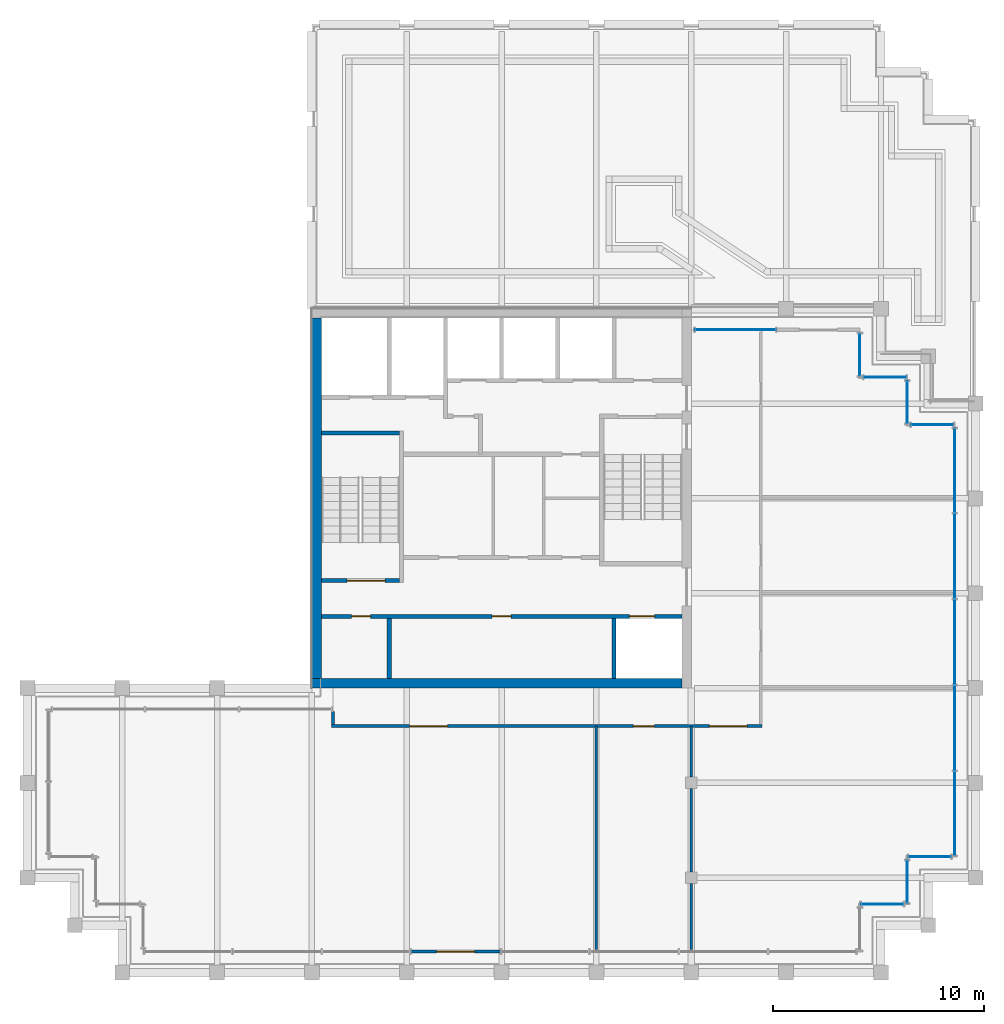
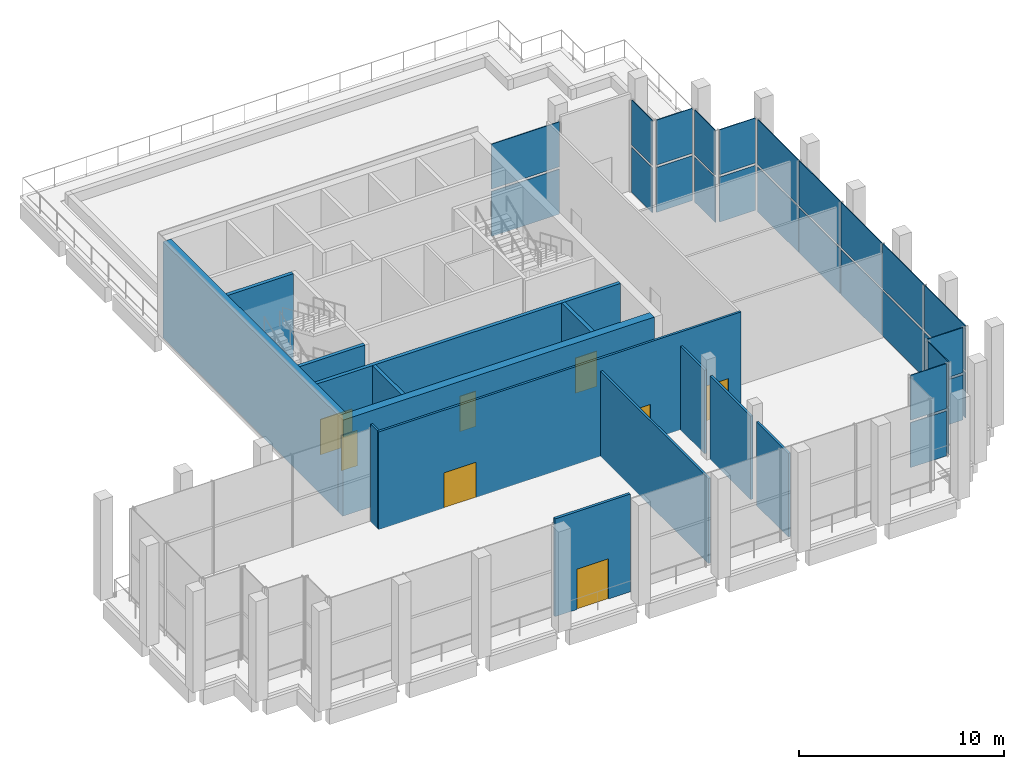
# One storey, part 11 of 15: 26 plates, 14 walls, 8 doors, 8 openings, 9 elements without a shape of their own.
"""IFC4 building model written with IfcOpenShell, lengths in metres."""

import ifcopenshell
import ifcopenshell.guid

model = None  # the IFC model being written
_history = None  # IfcOwnerHistory: only IFC2X3 demands one
_inside = {}  # id of a spatial element -> (the spatial element, [elements in it])
_under = {}  # id of a project, library or spatial element -> (it, [spatial elements below it])
_declared = {}  # id of a project -> (the project, [libraries it declares])
_typed = {}  # id of a type object -> (the type object, [elements of that type])
_made_of = {}  # id of a material, layer set ... -> (it, [elements and type objects made of it])


def new_model(schema):
    """Start an empty IFC model of exactly this schema.

    Asked for "IFC4X3", IfcOpenShell would pick the latest addendum, in which some entities
    have other attributes; the version numbers below select the first issue.
    IFC2X3 requires an IfcOwnerHistory on every rooted entity: one is made here for all.
    """
    global model, _history
    if schema == "IFC4X3":
        model = ifcopenshell.file(schema_version=(4, 3, 0, 0))
    else:
        model = ifcopenshell.file(schema=schema)
    _inside.clear()
    _under.clear()
    _declared.clear()
    _typed.clear()
    _made_of.clear()
    _history = None
    if model.schema == "IFC2X3":
        org = make("IfcOrganization", Name="unknown")
        user = make(
            "IfcPersonAndOrganization",
            ThePerson=make("IfcPerson", FamilyName="unknown"),
            TheOrganization=org,
        )
        app = make(
            "IfcApplication",
            ApplicationDeveloper=org,
            Version="unknown",
            ApplicationFullName="unknown",
            ApplicationIdentifier="unknown",
        )
        _history = make(
            "IfcOwnerHistory",
            OwningUser=user,
            OwningApplication=app,
            ChangeAction="ADDED",
            CreationDate=0,
        )
    return model


def make(cls, **values):
    """One entity of the class cls with the attributes given. An attribute that is None is left unset."""
    return model.create_entity(
        cls, **{name: value for name, value in values.items() if value is not None}
    )


def rooted(cls, **values):
    """An entity with a GlobalId (a new one), such as an element, a storey or a relation."""
    return make(cls, GlobalId=ifcopenshell.guid.new(), OwnerHistory=_history, **values)


def si_unit(unit_type, name, prefix=None):
    """IfcSIUnit, for example si_unit("LENGTHUNIT", "METRE", prefix="MILLI")."""
    return make("IfcSIUnit", UnitType=unit_type, Prefix=prefix, Name=name)


def assignment(units):
    """IfcUnitAssignment: the units of a project."""
    return None if units is None else make("IfcUnitAssignment", Units=units)


def point(xyz):
    """IfcCartesianPoint."""
    return None if xyz is None else make("IfcCartesianPoint", Coordinates=xyz)


def direction(xyz):
    """IfcDirection."""
    return None if xyz is None else make("IfcDirection", DirectionRatios=xyz)


def frame(location, z_axis=None, x_axis=None):
    """IfcAxis2Placement3D, a coordinate frame: its origin and axes. An axis left out is left unset."""
    return make(
        "IfcAxis2Placement3D",
        Location=point(location),
        Axis=direction(z_axis),
        RefDirection=direction(x_axis),
    )


def frame_2d(location, x_axis=None):
    """IfcAxis2Placement2D, a coordinate frame in the plane: its origin and x axis."""
    return make(
        "IfcAxis2Placement2D", Location=point(location), RefDirection=direction(x_axis)
    )


def origin():
    """The frame at (0, 0, 0) with its axes left unset."""
    return frame((0.0, 0.0, 0.0))


def origin_2d():
    """The frame at (0, 0) in the plane with its x axis left unset."""
    return frame_2d((0.0, 0.0))


def place(relative_to, where):
    """IfcLocalPlacement: puts the frame where relative to a parent placement (None: the world)."""
    return make(
        "IfcLocalPlacement", PlacementRelTo=relative_to, RelativePlacement=where
    )


def context(
    kind, dimensions, precision=None, world=None, true_north=None, identifier=None
):
    """IfcGeometricRepresentationContext, for example the 3D "Model" context."""
    return make(
        "IfcGeometricRepresentationContext",
        ContextIdentifier=identifier,
        ContextType=kind,
        CoordinateSpaceDimension=dimensions,
        Precision=precision,
        WorldCoordinateSystem=world,
        TrueNorth=true_north,
    )


def subcontext(parent, identifier, kind, view, scale=None):
    """IfcGeometricRepresentationSubContext, for example "Body" below "Model"."""
    return make(
        "IfcGeometricRepresentationSubContext",
        ContextIdentifier=identifier,
        ContextType=kind,
        ParentContext=parent,
        TargetScale=scale,
        TargetView=view,
    )


def project(units=None, contexts=None):
    """IfcProject with its units and contexts."""
    return rooted(
        "IfcProject",
        Name="project",
        RepresentationContexts=contexts,
        UnitsInContext=assignment(units),
    )


def spatial(cls, under=None, at=None, **own):
    """A site, building, storey or space (cls), placed at a placement, below another one or the project."""
    s = rooted(cls, ObjectPlacement=at, **own)
    if under is not None:
        _under.setdefault(under.id(), (under, []))[1].append(s)
    return s


def profile(cls, at=None, kind="AREA", **sizes):
    """A parametric profile (cls). Its sizes go by their IFC names, for example OverallWidth=200.0."""
    return make(cls, ProfileType=kind, Position=at, **sizes)


def rectangle(**sizes):
    """IfcRectangleProfileDef."""
    return profile("IfcRectangleProfileDef", **sizes)


def extrude(swept, where, along, depth):
    """IfcExtrudedAreaSolid: the profile swept, set in the frame where, extruded along a direction by depth."""
    return make(
        "IfcExtrudedAreaSolid",
        SweptArea=swept,
        Position=where,
        ExtrudedDirection=direction(along),
        Depth=depth,
    )


def shape(context_of_items, identifier, shape_type, items):
    """IfcShapeRepresentation: the items that make up one representation, for example the "Body"."""
    return make(
        "IfcShapeRepresentation",
        ContextOfItems=context_of_items,
        RepresentationIdentifier=identifier,
        RepresentationType=shape_type,
        Items=items,
    )


def material(Name=None, Category=None):
    """IfcMaterial."""
    return make("IfcMaterial", Name=Name, Category=Category)


def layer(
    of_material, thickness, ventilated=None, Name=None, Category=None, Priority=None
):
    """IfcMaterialLayer: one layer of a wall or slab, of a material (None: an air gap)."""
    return make(
        "IfcMaterialLayer",
        Material=of_material,
        LayerThickness=thickness,
        IsVentilated=ventilated,
        Name=Name,
        Category=Category,
        Priority=Priority,
    )


def layer_set(layers, Name=None):
    """IfcMaterialLayerSet."""
    return make("IfcMaterialLayerSet", MaterialLayers=layers, LayerSetName=Name)


def made_of(thing, what):
    """Note that an element or type object is made of a material, layer set ...; save() writes the relation."""
    if what is not None:
        _made_of.setdefault(what.id(), (what, []))[1].append(thing)
    return thing


def type_object(cls, material=None, **own):
    """A type object (cls), such as IfcWallType, which elements share."""
    return made_of(rooted(cls, **own), material)


def element(
    cls,
    number,
    at=None,
    inside=None,
    cuts=None,
    type_object=None,
    material=None,
    context=None,
    identifier="Body",
    shape_type=None,
    held_by="IfcProductDefinitionShape",
    body=None,
    shapes=None,
    **own,
):
    """One element of the class cls, such as IfcWall. Its Tag is "e" and its number.

    at: its placement. inside: the storey or other place that contains it. cuts: it is an
    opening in that element (IfcRelVoidsElement). A single representation is given by context,
    identifier, shape_type and body (its items); several are given by shapes. held_by: the class
    of the entity that holds the representations. save() writes the other relations.
    """
    e = rooted(cls, Tag="e%d" % number, ObjectPlacement=at, **own)
    if body is not None:
        shapes = [shape(context, identifier, shape_type, body)]
    if shapes is not None:
        e.Representation = make(held_by, Representations=shapes)
    if inside is not None:
        _inside.setdefault(inside.id(), (inside, []))[1].append(e)
    if cuts is not None:
        rooted(
            "IfcRelVoidsElement", RelatingBuildingElement=cuts, RelatedOpeningElement=e
        )
    if type_object is not None:
        _typed.setdefault(type_object.id(), (type_object, []))[1].append(e)
    return made_of(e, material)


def fill(opening, filler):
    """IfcRelFillsElement: the door or window that sits in an opening."""
    return rooted(
        "IfcRelFillsElement",
        RelatingOpeningElement=opening,
        RelatedBuildingElement=filler,
    )


def aggregate(whole, parts):
    """IfcRelAggregates: a whole, such as a stair, and the parts it consists of."""
    return rooted("IfcRelAggregates", RelatingObject=whole, RelatedObjects=parts)


def save(model, path):
    """Write the relations noted so far, then the file.

    IfcRelAggregates (storeys below a building ...), IfcRelContainedInSpatialStructure (elements
    in a storey), IfcRelDefinesByType, IfcRelAssociatesMaterial and IfcRelDeclares: one each for
    every whole, place, type object, material and project.
    """
    for whole, parts in _under.values():
        aggregate(whole, parts)
    for where, things in _inside.values():
        rooted(
            "IfcRelContainedInSpatialStructure",
            RelatedElements=things,
            RelatingStructure=where,
        )
    for kind, things in _typed.values():
        rooted("IfcRelDefinesByType", RelatedObjects=things, RelatingType=kind)
    for what, things in _made_of.values():
        rooted("IfcRelAssociatesMaterial", RelatedObjects=things, RelatingMaterial=what)
    for by, libraries in _declared.values():
        rooted("IfcRelDeclares", RelatingContext=by, RelatedDefinitions=libraries)
    model.write(path)


model = new_model("IFC4")

# Units and contexts
model_context = context("Model", 3, precision=1e-05, world=origin(), true_north=direction((0.0, 1.0)))
body_context = subcontext(model_context, "Body", "Model", "MODEL_VIEW")
ifc_project = project(units=[si_unit("LENGTHUNIT", "METRE"), si_unit("AREAUNIT", "SQUARE_METRE"), si_unit("VOLUMEUNIT", "CUBIC_METRE"), si_unit("PLANEANGLEUNIT", "RADIAN"), si_unit("MASSUNIT", "GRAM", prefix="KILO")], contexts=[model_context])

# Site, building, storey
site_placement = place(None, origin())
site = spatial("IfcSite", under=ifc_project, at=site_placement, CompositionType="ELEMENT")
building_placement = place(site_placement, origin())
building = spatial("IfcBuilding", under=site, at=building_placement, Name="Altepetl Exchange Towers", CompositionType="ELEMENT")
storey_placement = place(building_placement, frame((0.0, 0.0, 263.60009765625)))
storey = spatial("IfcBuildingStorey", under=building, at=storey_placement, Name="L67 Observation deck", CompositionType="ELEMENT", Elevation=263.60009765625)

# Curtain wall, plates
ifc_material_1 = material(Name="Aluminium 6063-T6 glazing", Category="aluminium")
curtain_wall_type = type_object("IfcCurtainWallType", Name="Executive flush glazing system", PredefinedType="NOTDEFINED", material=ifc_material_1)
curtain_wall_1_placement = place(storey_placement, origin())
curtain_wall_1 = element("IfcCurtainWall", 1, at=curtain_wall_1_placement, inside=storey, type_object=curtain_wall_type, Name="CW4 run", PredefinedType="NOTDEFINED")
ifc_material_2 = material(Name="Glass 10-24-10 laminated", Category="glass")
ifc_layer_1 = layer(ifc_material_2, 0.0439453125)
ifc_layer_set_1 = layer_set([ifc_layer_1], Name="Glass 10-24-10 laminated")
plate_type = type_object("IfcPlateType", Name="Glass panel 44 laminated", PredefinedType="CURTAIN_PANEL", material=ifc_layer_set_1)
plate_1_placement = place(storey_placement, frame((67.5625, 30.25, 0.0)))
plate_1 = element("IfcPlate", 2, at=plate_1_placement, type_object=plate_type, Name="GP3 panel", PredefinedType="CURTAIN_PANEL", context=body_context, shape_type="SweptSolid", body=[
    extrude(rectangle(XDim=2.0048828125, YDim=0.0439453125, at=origin_2d()), origin(), (0.0, 0.0, 1.0), 2.679931640625),
])
plate_2_placement = place(storey_placement, frame((67.5625, 30.25, 2.81982421875)))
plate_2 = element("IfcPlate", 3, at=plate_2_placement, type_object=plate_type, Name="GP3 panel", PredefinedType="CURTAIN_PANEL", context=body_context, shape_type="SweptSolid", body=[
    extrude(rectangle(XDim=2.0048828125, YDim=0.0439453125, at=origin_2d()), origin(), (0.0, 0.0, 1.0), 2.679931640625),
])
aggregate(curtain_wall_1, [plate_1, plate_2])

curtain_wall_2_placement = place(storey_placement, origin())
curtain_wall_2 = element("IfcCurtainWall", 4, at=curtain_wall_2_placement, inside=storey, type_object=curtain_wall_type, Name="CW4 run", PredefinedType="NOTDEFINED")
plate_3_placement = place(storey_placement, frame((68.75, 31.3125, 0.0), z_axis=(0.0, 0.0, 1.0), x_axis=(0.0, 1.0, 0.0)))
plate_3 = element("IfcPlate", 5, at=plate_3_placement, type_object=plate_type, Name="GP3 panel", PredefinedType="CURTAIN_PANEL", context=body_context, shape_type="SweptSolid", body=[
    extrude(rectangle(XDim=2.0048828125, YDim=0.0439453125, at=origin_2d()), origin(), (0.0, 0.0, 1.0), 2.679931640625),
])
plate_4_placement = place(storey_placement, frame((68.75, 31.3125, 2.81982421875), z_axis=(0.0, 0.0, 1.0), x_axis=(0.0, 1.0, 0.0)))
plate_4 = element("IfcPlate", 6, at=plate_4_placement, type_object=plate_type, Name="GP3 panel", PredefinedType="CURTAIN_PANEL", context=body_context, shape_type="SweptSolid", body=[
    extrude(rectangle(XDim=2.0048828125, YDim=0.0439453125, at=origin_2d()), origin(), (0.0, 0.0, 1.0), 2.679931640625),
])
aggregate(curtain_wall_2, [plate_3, plate_4])

curtain_wall_3_placement = place(storey_placement, origin())
curtain_wall_3 = element("IfcCurtainWall", 7, at=curtain_wall_3_placement, inside=storey, type_object=curtain_wall_type, Name="CW4 run", PredefinedType="NOTDEFINED")
plate_5_placement = place(storey_placement, frame((69.8125, 32.5, 0.0)))
plate_5 = element("IfcPlate", 8, at=plate_5_placement, type_object=plate_type, Name="GP3 panel", PredefinedType="CURTAIN_PANEL", context=body_context, shape_type="SweptSolid", body=[
    extrude(rectangle(XDim=2.0048828125, YDim=0.0439453125, at=origin_2d()), origin(), (0.0, 0.0, 1.0), 2.679931640625),
])
plate_6_placement = place(storey_placement, frame((69.8125, 32.5, 2.81982421875)))
plate_6 = element("IfcPlate", 9, at=plate_6_placement, type_object=plate_type, Name="GP3 panel", PredefinedType="CURTAIN_PANEL", context=body_context, shape_type="SweptSolid", body=[
    extrude(rectangle(XDim=2.0048828125, YDim=0.0439453125, at=origin_2d()), origin(), (0.0, 0.0, 1.0), 2.679931640625),
])
aggregate(curtain_wall_3, [plate_5, plate_6])

curtain_wall_4_placement = place(storey_placement, origin())
curtain_wall_4 = element("IfcCurtainWall", 10, at=curtain_wall_4_placement, inside=storey, type_object=curtain_wall_type, Name="CW4 run", PredefinedType="NOTDEFINED")
plate_7_placement = place(storey_placement, frame((71.0, 34.552490234375, 0.0), z_axis=(0.0, 0.0, 1.0), x_axis=(0.0, 1.0, 0.0)))
plate_7 = element("IfcPlate", 11, at=plate_7_placement, type_object=plate_type, Name="GP3 panel", PredefinedType="CURTAIN_PANEL", context=body_context, shape_type="SweptSolid", body=[
    extrude(rectangle(XDim=3.985107421875, YDim=0.0439453125, at=origin_2d()), origin(), (0.0, 0.0, 1.0), 2.679931640625),
])
plate_8_placement = place(storey_placement, frame((71.0, 34.552490234375, 2.81982421875), z_axis=(0.0, 0.0, 1.0), x_axis=(0.0, 1.0, 0.0)))
plate_8 = element("IfcPlate", 12, at=plate_8_placement, type_object=plate_type, Name="GP3 panel", PredefinedType="CURTAIN_PANEL", context=body_context, shape_type="SweptSolid", body=[
    extrude(rectangle(XDim=3.985107421875, YDim=0.0439453125, at=origin_2d()), origin(), (0.0, 0.0, 1.0), 2.679931640625),
])
plate_9_placement = place(storey_placement, frame((71.0, 38.612548828125, 0.0), z_axis=(0.0, 0.0, 1.0), x_axis=(0.0, 1.0, 0.0)))
plate_9 = element("IfcPlate", 13, at=plate_9_placement, type_object=plate_type, Name="GP3 panel", PredefinedType="CURTAIN_PANEL", context=body_context, shape_type="SweptSolid", body=[
    extrude(rectangle(XDim=4.014892578125, YDim=0.0439453125, at=origin_2d()), origin(), (0.0, 0.0, 1.0), 2.679931640625),
])
plate_10_placement = place(storey_placement, frame((71.0, 38.612548828125, 2.81982421875), z_axis=(0.0, 0.0, 1.0), x_axis=(0.0, 1.0, 0.0)))
plate_10 = element("IfcPlate", 14, at=plate_10_placement, type_object=plate_type, Name="GP3 panel", PredefinedType="CURTAIN_PANEL", context=body_context, shape_type="SweptSolid", body=[
    extrude(rectangle(XDim=4.014892578125, YDim=0.0439453125, at=origin_2d()), origin(), (0.0, 0.0, 1.0), 2.679931640625),
])
plate_11_placement = place(storey_placement, frame((71.0, 42.6875, 0.0), z_axis=(0.0, 0.0, 1.0), x_axis=(0.0, 1.0, 0.0)))
plate_11 = element("IfcPlate", 15, at=plate_11_placement, type_object=plate_type, Name="GP3 panel", PredefinedType="CURTAIN_PANEL", context=body_context, shape_type="SweptSolid", body=[
    extrude(rectangle(XDim=4.014892578125, YDim=0.0439453125, at=origin_2d()), origin(), (0.0, 0.0, 1.0), 2.679931640625),
])
plate_12_placement = place(storey_placement, frame((71.0, 42.6875, 2.81982421875), z_axis=(0.0, 0.0, 1.0), x_axis=(0.0, 1.0, 0.0)))
plate_12 = element("IfcPlate", 16, at=plate_12_placement, type_object=plate_type, Name="GP3 panel", PredefinedType="CURTAIN_PANEL", context=body_context, shape_type="SweptSolid", body=[
    extrude(rectangle(XDim=4.014892578125, YDim=0.0439453125, at=origin_2d()), origin(), (0.0, 0.0, 1.0), 2.679931640625),
])
plate_13_placement = place(storey_placement, frame((71.0, 46.762451171875, 0.0), z_axis=(0.0, 0.0, 1.0), x_axis=(0.0, 1.0, 0.0)))
plate_13 = element("IfcPlate", 17, at=plate_13_placement, type_object=plate_type, Name="GP3 panel", PredefinedType="CURTAIN_PANEL", context=body_context, shape_type="SweptSolid", body=[
    extrude(rectangle(XDim=4.014892578125, YDim=0.0439453125, at=origin_2d()), origin(), (0.0, 0.0, 1.0), 2.679931640625),
])
plate_14_placement = place(storey_placement, frame((71.0, 46.762451171875, 2.81982421875), z_axis=(0.0, 0.0, 1.0), x_axis=(0.0, 1.0, 0.0)))
plate_14 = element("IfcPlate", 18, at=plate_14_placement, type_object=plate_type, Name="GP3 panel", PredefinedType="CURTAIN_PANEL", context=body_context, shape_type="SweptSolid", body=[
    extrude(rectangle(XDim=4.014892578125, YDim=0.0439453125, at=origin_2d()), origin(), (0.0, 0.0, 1.0), 2.679931640625),
])
plate_15_placement = place(storey_placement, frame((71.0, 50.822509765625, 0.0), z_axis=(0.0, 0.0, 1.0), x_axis=(0.0, 1.0, 0.0)))
plate_15 = element("IfcPlate", 19, at=plate_15_placement, type_object=plate_type, Name="GP3 panel", PredefinedType="CURTAIN_PANEL", context=body_context, shape_type="SweptSolid", body=[
    extrude(rectangle(XDim=3.985107421875, YDim=0.0439453125, at=origin_2d()), origin(), (0.0, 0.0, 1.0), 2.679931640625),
])
plate_16_placement = place(storey_placement, frame((71.0, 50.822509765625, 2.81982421875), z_axis=(0.0, 0.0, 1.0), x_axis=(0.0, 1.0, 0.0)))
plate_16 = element("IfcPlate", 20, at=plate_16_placement, type_object=plate_type, Name="GP3 panel", PredefinedType="CURTAIN_PANEL", context=body_context, shape_type="SweptSolid", body=[
    extrude(rectangle(XDim=3.985107421875, YDim=0.0439453125, at=origin_2d()), origin(), (0.0, 0.0, 1.0), 2.679931640625),
])
aggregate(curtain_wall_4, [plate_7, plate_8, plate_9, plate_10, plate_11, plate_12, plate_13, plate_14, plate_15, plate_16])

curtain_wall_5_placement = place(storey_placement, origin())
curtain_wall_5 = element("IfcCurtainWall", 21, at=curtain_wall_5_placement, inside=storey, type_object=curtain_wall_type, Name="CW4 run", PredefinedType="NOTDEFINED")
plate_17_placement = place(storey_placement, frame((69.9375, 53.0, 0.0), z_axis=(0.0, 0.0, 1.0), x_axis=(-1.0, 0.0, 0.0)))
plate_17 = element("IfcPlate", 22, at=plate_17_placement, type_object=plate_type, Name="GP3 panel", PredefinedType="CURTAIN_PANEL", context=body_context, shape_type="SweptSolid", body=[
    extrude(rectangle(XDim=2.0048828125, YDim=0.0439453125, at=origin_2d()), origin(), (0.0, 0.0, 1.0), 2.679931640625),
])
plate_18_placement = place(storey_placement, frame((69.9375, 53.0, 2.81982421875), z_axis=(0.0, 0.0, 1.0), x_axis=(-1.0, 0.0, 0.0)))
plate_18 = element("IfcPlate", 23, at=plate_18_placement, type_object=plate_type, Name="GP3 panel", PredefinedType="CURTAIN_PANEL", context=body_context, shape_type="SweptSolid", body=[
    extrude(rectangle(XDim=2.0048828125, YDim=0.0439453125, at=origin_2d()), origin(), (0.0, 0.0, 1.0), 2.679931640625),
])
aggregate(curtain_wall_5, [plate_17, plate_18])

curtain_wall_6_placement = place(storey_placement, origin())
curtain_wall_6 = element("IfcCurtainWall", 24, at=curtain_wall_6_placement, inside=storey, type_object=curtain_wall_type, Name="CW4 run", PredefinedType="NOTDEFINED")
plate_19_placement = place(storey_placement, frame((68.75, 54.0625, 0.0), z_axis=(0.0, 0.0, 1.0), x_axis=(0.0, 1.0, 0.0)))
plate_19 = element("IfcPlate", 25, at=plate_19_placement, type_object=plate_type, Name="GP3 panel", PredefinedType="CURTAIN_PANEL", context=body_context, shape_type="SweptSolid", body=[
    extrude(rectangle(XDim=2.0048828125, YDim=0.0439453125, at=origin_2d()), origin(), (0.0, 0.0, 1.0), 2.679931640625),
])
plate_20_placement = place(storey_placement, frame((68.75, 54.0625, 2.81982421875), z_axis=(0.0, 0.0, 1.0), x_axis=(0.0, 1.0, 0.0)))
plate_20 = element("IfcPlate", 26, at=plate_20_placement, type_object=plate_type, Name="GP3 panel", PredefinedType="CURTAIN_PANEL", context=body_context, shape_type="SweptSolid", body=[
    extrude(rectangle(XDim=2.0048828125, YDim=0.0439453125, at=origin_2d()), origin(), (0.0, 0.0, 1.0), 2.679931640625),
])
aggregate(curtain_wall_6, [plate_19, plate_20])

curtain_wall_7_placement = place(storey_placement, origin())
curtain_wall_7 = element("IfcCurtainWall", 27, at=curtain_wall_7_placement, inside=storey, type_object=curtain_wall_type, Name="CW4 run", PredefinedType="NOTDEFINED")
plate_21_placement = place(storey_placement, frame((67.6875, 55.25, 0.0), z_axis=(0.0, 0.0, 1.0), x_axis=(-1.0, 0.0, 0.0)))
plate_21 = element("IfcPlate", 28, at=plate_21_placement, type_object=plate_type, Name="GP3 panel", PredefinedType="CURTAIN_PANEL", context=body_context, shape_type="SweptSolid", body=[
    extrude(rectangle(XDim=2.0048828125, YDim=0.0439453125, at=origin_2d()), origin(), (0.0, 0.0, 1.0), 2.679931640625),
])
plate_22_placement = place(storey_placement, frame((67.6875, 55.25, 2.81982421875), z_axis=(0.0, 0.0, 1.0), x_axis=(-1.0, 0.0, 0.0)))
plate_22 = element("IfcPlate", 29, at=plate_22_placement, type_object=plate_type, Name="GP3 panel", PredefinedType="CURTAIN_PANEL", context=body_context, shape_type="SweptSolid", body=[
    extrude(rectangle(XDim=2.0048828125, YDim=0.0439453125, at=origin_2d()), origin(), (0.0, 0.0, 1.0), 2.679931640625),
])
aggregate(curtain_wall_7, [plate_21, plate_22])

curtain_wall_8_placement = place(storey_placement, origin())
curtain_wall_8 = element("IfcCurtainWall", 30, at=curtain_wall_8_placement, inside=storey, type_object=curtain_wall_type, Name="CW4 run", PredefinedType="NOTDEFINED")
plate_23_placement = place(storey_placement, frame((66.5, 56.3125, 0.0), z_axis=(0.0, 0.0, 1.0), x_axis=(0.0, 1.0, 0.0)))
plate_23 = element("IfcPlate", 31, at=plate_23_placement, type_object=plate_type, Name="GP3 panel", PredefinedType="CURTAIN_PANEL", context=body_context, shape_type="SweptSolid", body=[
    extrude(rectangle(XDim=2.0048828125, YDim=0.0439453125, at=origin_2d()), origin(), (0.0, 0.0, 1.0), 2.679931640625),
])
plate_24_placement = place(storey_placement, frame((66.5, 56.3125, 2.81982421875), z_axis=(0.0, 0.0, 1.0), x_axis=(0.0, 1.0, 0.0)))
plate_24 = element("IfcPlate", 32, at=plate_24_placement, type_object=plate_type, Name="GP3 panel", PredefinedType="CURTAIN_PANEL", context=body_context, shape_type="SweptSolid", body=[
    extrude(rectangle(XDim=2.0048828125, YDim=0.0439453125, at=origin_2d()), origin(), (0.0, 0.0, 1.0), 2.679931640625),
])
aggregate(curtain_wall_8, [plate_23, plate_24])

curtain_wall_9_placement = place(storey_placement, origin())
curtain_wall_9 = element("IfcCurtainWall", 33, at=curtain_wall_9_placement, inside=storey, type_object=curtain_wall_type, Name="CW4 run", PredefinedType="NOTDEFINED")
plate_25_placement = place(storey_placement, frame((60.59375, 57.5, 0.0), z_axis=(0.0, 0.0, 1.0), x_axis=(-1.0, 0.0, 0.0)))
plate_25 = element("IfcPlate", 34, at=plate_25_placement, type_object=plate_type, Name="GP3 panel", PredefinedType="CURTAIN_PANEL", context=body_context, shape_type="SweptSolid", body=[
    extrude(rectangle(XDim=3.8173828125, YDim=0.0439453125, at=origin_2d()), origin(), (0.0, 0.0, 1.0), 2.679931640625),
])
plate_26_placement = place(storey_placement, frame((60.59375, 57.5, 2.81982421875), z_axis=(0.0, 0.0, 1.0), x_axis=(-1.0, 0.0, 0.0)))
plate_26 = element("IfcPlate", 35, at=plate_26_placement, type_object=plate_type, Name="GP3 panel", PredefinedType="CURTAIN_PANEL", context=body_context, shape_type="SweptSolid", body=[
    extrude(rectangle(XDim=3.8173828125, YDim=0.0439453125, at=origin_2d()), origin(), (0.0, 0.0, 1.0), 2.679931640625),
])
aggregate(curtain_wall_9, [plate_25, plate_26])

# Walls
ifc_material_3 = material(Name="Concrete C70/85", Category="concrete")
ifc_layer_2 = layer(ifc_material_3, 0.449951171875)
ifc_layer_set_2 = layer_set([ifc_layer_2], Name="Concrete C70/85")
wall_type_1 = type_object("IfcWallType", Name="Core wall 450 reinforced concrete", PredefinedType="SHEAR", material=ifc_layer_set_2)
wall_1_placement = place(storey_placement, frame((40.5, 40.72509765625, 0.0)))
element("IfcWall", 36, at=wall_1_placement, inside=storey, type_object=wall_type_1, Name="wall:A:L67:K-coreS", PredefinedType="SHEAR", context=body_context, shape_type="SweptSolid", body=[
    extrude(rectangle(XDim=17.550048828125, YDim=0.449951171875, at=frame_2d((8.77490234375, 0.0))), origin(), (0.0, 0.0, 1.0), 5.724853515625),
])
ifc_layer_3 = layer(ifc_material_3, 0.449951171875)
ifc_layer_set_3 = layer_set([ifc_layer_3], Name="Concrete C70/85")
wall_type_2 = type_object("IfcWallType", Name="Core wall 450 reinforced concrete external", PredefinedType="SHEAR", material=ifc_layer_set_3)
wall_2_placement = place(storey_placement, frame((40.72509765625, 40.949951171875, 0.0), z_axis=(0.0, 0.0, 1.0), x_axis=(0.0, 1.0, 0.0)))
element("IfcWall", 37, at=wall_2_placement, inside=storey, type_object=wall_type_2, Name="wall:A:L67:K-coreW", PredefinedType="SHEAR", context=body_context, shape_type="SweptSolid", body=[
    extrude(rectangle(XDim=17.10009765625, YDim=0.449951171875, at=frame_2d((8.550048828125, 0.0))), origin(), (0.0, 0.0, 1.0), 5.724853515625),
])

# Wall, opening, door
ifc_material_4 = material(Name="Aluminium composite cladding", Category="aluminium")
ifc_layer_4 = layer(ifc_material_4, 0.14990234375)
ifc_layer_set_4 = layer_set([ifc_layer_4], Name="Aluminium composite cladding")
wall_type_3 = type_object("IfcWallType", Name="Infill wall 150 aluminium panel", PredefinedType="SOLIDWALL", material=ifc_layer_set_4)
wall_3_placement = place(storey_placement, frame((45.203125, 28.0, 0.0)))
wall_3 = element("IfcWall", 38, at=wall_3_placement, inside=storey, type_object=wall_type_3, Name="Loggia door bay wall", PredefinedType="SOLIDWALL", context=body_context, shape_type="SweptSolid", body=[
    extrude(rectangle(XDim=4.234375, YDim=0.14990234375, at=frame_2d((2.1171875, 0.0))), origin(), (0.0, 0.0, 1.0), 5.824951171875),
])
opening_1_placement = place(wall_3_placement, frame((1.21728515625, 0.0, 0.0)))
opening_1 = element("IfcOpeningElement", 39, at=opening_1_placement, cuts=wall_3, Name="Opening L67.A90", PredefinedType="OPENING", context=body_context, shape_type="SweptSolid", body=[
    extrude(rectangle(XDim=1.800048828125, YDim=2.39990234375, at=frame_2d((0.89990234375, 1.199951171875))), frame((0.0, 0.0849609375, 0.0), z_axis=(0.0, -1.0, 0.0), x_axis=(1.0, 0.0, 0.0)), (0.0, 0.0, 1.0), 0.169921875),
])
ifc_material_5 = material(Name="Aluminium 6063-T6 and glass", Category="aluminium")
door_type_1 = type_object("IfcDoorType", Name="Glazed door pair 1800x2400", OperationType="DOUBLE_DOOR_DOUBLE_SWING", PredefinedType="NOTDEFINED", material=ifc_material_5)
door_1_placement = place(opening_1_placement, frame((1.800048828125, 0.0, 0.0), x_axis=(-1.0, 0.0, 0.0)))
door_1 = element("IfcDoor", 40, at=door_1_placement, inside=storey, type_object=door_type_1, Name="Loggia door", OperationType="DOUBLE_DOOR_DOUBLE_SWING", OverallHeight=2.39990234375, OverallWidth=1.800048828125, PredefinedType="NOTDEFINED", context=body_context, shape_type="SweptSolid", body=[
    extrude(rectangle(XDim=1.800048828125, YDim=2.39990234375, at=frame_2d((0.89990234375, 1.199951171875))), frame((0.0, 0.02490234375, 0.0), z_axis=(0.0, -1.0, 0.0), x_axis=(1.0, 0.0, 0.0)), (0.0, 0.0, 1.0), 0.050048828125),
])
fill(opening_1, door_1)

# Wall, openings, doors
ifc_material_6 = material(Name="Gypsum board on steel studs", Category="steel")
ifc_layer_5 = layer(ifc_material_6, 0.125)
ifc_layer_set_5 = layer_set([ifc_layer_5], Name="Gypsum board on steel studs")
wall_type_4 = type_object("IfcWallType", Name="Partition 125 gypsum board on steel studs", PredefinedType="PARTITIONING", material=ifc_layer_set_5)
wall_4_placement = place(storey_placement, frame((41.4375, 38.699951171875, 0.0)))
wall_4 = element("IfcWall", 41, at=wall_4_placement, inside=storey, type_object=wall_type_4, Name="wall:A:L67:P01", PredefinedType="PARTITIONING", context=body_context, shape_type="SweptSolid", body=[
    extrude(rectangle(XDim=20.425048828125, YDim=0.125, at=frame_2d((10.21240234375, 0.0))), origin(), (0.0, 0.0, 1.0), 5.824951171875),
])
opening_2_placement = place(wall_4_placement, frame((14.3125, 0.0, 0.0)))
opening_2 = element("IfcOpeningElement", 42, at=opening_2_placement, cuts=wall_4, Name="Opening L67.A01", PredefinedType="OPENING", context=body_context, shape_type="SweptSolid", body=[
    extrude(rectangle(XDim=1.0, YDim=2.10009765625, at=frame_2d((0.5, 1.050048828125))), frame((0.0, 0.072509765625, 0.0), z_axis=(0.0, -1.0, 0.0), x_axis=(1.0, 0.0, 0.0)), (0.0, 0.0, 1.0), 0.14501953125),
])
opening_3_placement = place(wall_4_placement, frame((3.697509765625, 0.0, 0.0)))
opening_3 = element("IfcOpeningElement", 43, at=opening_3_placement, cuts=wall_4, Name="Opening L67.A02", PredefinedType="OPENING", context=body_context, shape_type="SweptSolid", body=[
    extrude(rectangle(XDim=1.800048828125, YDim=2.10009765625, at=frame_2d((0.89990234375, 1.050048828125))), frame((0.0, 0.072509765625, 0.0), z_axis=(0.0, -1.0, 0.0), x_axis=(1.0, 0.0, 0.0)), (0.0, 0.0, 1.0), 0.14501953125),
])
opening_4_placement = place(wall_4_placement, frame((17.91748046875, 0.0, 0.0)))
opening_4 = element("IfcOpeningElement", 44, at=opening_4_placement, cuts=wall_4, Name="Opening L67.A03", PredefinedType="OPENING", context=body_context, shape_type="SweptSolid", body=[
    extrude(rectangle(XDim=1.800048828125, YDim=2.10009765625, at=frame_2d((0.89990234375, 1.050048828125))), frame((0.0, 0.072509765625, 0.0), z_axis=(0.0, -1.0, 0.0), x_axis=(1.0, 0.0, 0.0)), (0.0, 0.0, 1.0), 0.14501953125),
])
ifc_material_7 = material(Name="Steel and timber fire door", Category="steel")
door_type_2 = type_object("IfcDoorType", Name="Fire door 1000 x 2100 single leaf", OperationType="SINGLE_SWING_LEFT", PredefinedType="DOOR", material=ifc_material_7)
door_2_placement = place(opening_2_placement, frame((1.0, 0.0, 0.0), x_axis=(-1.0, 0.0, 0.0)))
door_2 = element("IfcDoor", 45, at=door_2_placement, inside=storey, type_object=door_type_2, Name="door:A:L67:01", OperationType="SINGLE_SWING_LEFT", OverallHeight=2.10009765625, OverallWidth=1.0, PredefinedType="DOOR", context=body_context, shape_type="SweptSolid", body=[
    extrude(rectangle(XDim=1.0, YDim=2.10009765625, at=frame_2d((0.5, 1.050048828125))), frame((0.0, 0.02490234375, 0.0), z_axis=(0.0, -1.0, 0.0), x_axis=(1.0, 0.0, 0.0)), (0.0, 0.0, 1.0), 0.050048828125),
])
fill(opening_2, door_2)
door_type_3 = type_object("IfcDoorType", Name="Fire door 1800 x 2100 double leaf", OperationType="DOUBLE_DOOR_SINGLE_SWING", PredefinedType="DOOR", material=ifc_material_7)
door_3_placement = place(opening_3_placement, frame((1.800048828125, 0.0, 0.0), x_axis=(-1.0, 0.0, 0.0)))
door_3 = element("IfcDoor", 46, at=door_3_placement, inside=storey, type_object=door_type_3, Name="door:A:L67:02", OperationType="DOUBLE_DOOR_SINGLE_SWING", OverallHeight=2.10009765625, OverallWidth=1.800048828125, PredefinedType="DOOR", context=body_context, shape_type="SweptSolid", body=[
    extrude(rectangle(XDim=1.800048828125, YDim=2.10009765625, at=frame_2d((0.89990234375, 1.050048828125))), frame((0.0, 0.02490234375, 0.0), z_axis=(0.0, -1.0, 0.0), x_axis=(1.0, 0.0, 0.0)), (0.0, 0.0, 1.0), 0.050048828125),
])
fill(opening_3, door_3)
door_4_placement = place(opening_4_placement, frame((1.800048828125, 0.0, 0.0), x_axis=(-1.0, 0.0, 0.0)))
door_4 = element("IfcDoor", 47, at=door_4_placement, inside=storey, type_object=door_type_3, Name="door:A:L67:03", OperationType="DOUBLE_DOOR_SINGLE_SWING", OverallHeight=2.10009765625, OverallWidth=1.800048828125, PredefinedType="DOOR", context=body_context, shape_type="SweptSolid", body=[
    extrude(rectangle(XDim=1.800048828125, YDim=2.10009765625, at=frame_2d((0.89990234375, 1.050048828125))), frame((0.0, 0.02490234375, 0.0), z_axis=(0.0, -1.0, 0.0), x_axis=(1.0, 0.0, 0.0)), (0.0, 0.0, 1.0), 0.050048828125),
])
fill(opening_4, door_4)

# Walls
wall_5_placement = place(storey_placement, frame((41.5, 38.762451171875, 0.0), z_axis=(0.0, 0.0, 1.0), x_axis=(0.0, 1.0, 0.0)))
element("IfcWall", 48, at=wall_5_placement, inside=storey, type_object=wall_type_4, Name="wall:A:L67:P05", PredefinedType="PARTITIONING", context=body_context, shape_type="SweptSolid", body=[
    extrude(rectangle(XDim=0.637451171875, YDim=0.125, at=frame_2d((0.31884765625, 0.0))), origin(), (0.0, 0.0, 1.0), 5.824951171875),
])
wall_6_placement = place(storey_placement, frame((54.0, 28.10009765625, 0.0), z_axis=(0.0, 0.0, 1.0), x_axis=(0.0, 1.0, 0.0)))
element("IfcWall", 49, at=wall_6_placement, inside=storey, type_object=wall_type_4, Name="wall:A:L67:P06", PredefinedType="PARTITIONING", context=body_context, shape_type="SweptSolid", body=[
    extrude(rectangle(XDim=10.599853515625, YDim=0.125, at=frame_2d((5.2998046875, 0.0))), origin(), (0.0, 0.0, 1.0), 5.06689453125),
])
wall_7_placement = place(storey_placement, frame((58.5, 28.10009765625, 0.0), z_axis=(0.0, 0.0, 1.0), x_axis=(0.0, 1.0, 0.0)))
element("IfcWall", 50, at=wall_7_placement, inside=storey, type_object=wall_type_4, Name="wall:A:L67:P07", PredefinedType="PARTITIONING", context=body_context, shape_type="SweptSolid", body=[
    extrude(rectangle(XDim=3.125, YDim=0.125, at=frame_2d((1.5625, 0.0))), origin(), (0.0, 0.0, 1.0), 4.97900390625),
])
wall_8_placement = place(storey_placement, frame((58.5, 31.77490234375, 0.0), z_axis=(0.0, 0.0, 1.0), x_axis=(0.0, 1.0, 0.0)))
element("IfcWall", 51, at=wall_8_placement, inside=storey, type_object=wall_type_4, Name="wall:A:L67:P08", PredefinedType="PARTITIONING", context=body_context, shape_type="SweptSolid", body=[
    extrude(rectangle(XDim=3.9501953125, YDim=0.125, at=frame_2d((1.97509765625, 0.0))), origin(), (0.0, 0.0, 1.0), 4.97900390625),
])
wall_9_placement = place(storey_placement, frame((58.5, 36.27490234375, 0.0), z_axis=(0.0, 0.0, 1.0), x_axis=(0.0, 1.0, 0.0)))
element("IfcWall", 52, at=wall_9_placement, inside=storey, type_object=wall_type_4, Name="wall:A:L67:P09", PredefinedType="PARTITIONING", context=body_context, shape_type="SweptSolid", body=[
    extrude(rectangle(XDim=2.425048828125, YDim=0.125, at=frame_2d((1.21240234375, 0.0))), origin(), (0.0, 0.0, 1.0), 4.97900390625),
])
ifc_material_8 = material(Name="Concrete C40/50", Category="concrete")
ifc_layer_6 = layer(ifc_material_8, 0.199951171875)
ifc_layer_set_6 = layer_set([ifc_layer_6], Name="Concrete C40/50")
wall_type_5 = type_object("IfcWallType", Name="Shaft wall 200 reinforced concrete", PredefinedType="SHEAR", material=ifc_layer_set_6)
wall_10_placement = place(storey_placement, frame((54.833251953125, 40.949951171875, 0.0), z_axis=(0.0, 0.0, 1.0), x_axis=(0.0, 1.0, 0.0)))
element("IfcWall", 53, at=wall_10_placement, inside=storey, type_object=wall_type_5, Name="wall:A:L67:K-divS5", PredefinedType="SHEAR", context=body_context, shape_type="SweptSolid", body=[
    extrude(rectangle(XDim=2.85009765625, YDim=0.199951171875, at=frame_2d((1.425048828125, 0.0))), origin(), (0.0, 0.0, 1.0), 5.724853515625),
])

# Wall, openings, doors
wall_11_placement = place(storey_placement, frame((40.949951171875, 43.89990234375, 0.0)))
wall_11 = element("IfcWall", 54, at=wall_11_placement, inside=storey, type_object=wall_type_5, Name="wall:A:L67:K-frontS", PredefinedType="SHEAR", context=body_context, shape_type="SweptSolid", body=[
    extrude(rectangle(XDim=17.10009765625, YDim=0.199951171875, at=frame_2d((8.550048828125, 0.0))), origin(), (0.0, 0.0, 1.0), 5.724853515625),
])
opening_5_placement = place(wall_11_placement, frame((1.433349609375, 0.0, 0.0)))
opening_5 = element("IfcOpeningElement", 55, at=opening_5_placement, cuts=wall_11, Name="Opening L67.A67", PredefinedType="OPENING", context=body_context, shape_type="SweptSolid", body=[
    extrude(rectangle(XDim=0.89990234375, YDim=2.10009765625, at=frame_2d((0.449951171875, 1.050048828125))), frame((0.0, 0.10986328125, 0.0), z_axis=(0.0, -1.0, 0.0), x_axis=(1.0, 0.0, 0.0)), (0.0, 0.0, 1.0), 0.219970703125),
])
opening_6_placement = place(wall_11_placement, frame((8.10009765625, 0.0, 0.0)))
opening_6 = element("IfcOpeningElement", 56, at=opening_6_placement, cuts=wall_11, Name="Opening L67.A68", PredefinedType="OPENING", context=body_context, shape_type="SweptSolid", body=[
    extrude(rectangle(XDim=0.89990234375, YDim=2.10009765625, at=frame_2d((0.449951171875, 1.050048828125))), frame((0.0, 0.10986328125, 0.0), z_axis=(0.0, -1.0, 0.0), x_axis=(1.0, 0.0, 0.0)), (0.0, 0.0, 1.0), 0.219970703125),
])
opening_7_placement = place(wall_11_placement, frame((14.61669921875, 0.0, 0.0)))
opening_7 = element("IfcOpeningElement", 57, at=opening_7_placement, cuts=wall_11, Name="Opening L67.A75", PredefinedType="OPENING", context=body_context, shape_type="SweptSolid", body=[
    extrude(rectangle(XDim=1.199951171875, YDim=2.10009765625, at=frame_2d((0.60009765625, 1.050048828125))), frame((0.0, 0.10986328125, 0.0), z_axis=(0.0, -1.0, 0.0), x_axis=(1.0, 0.0, 0.0)), (0.0, 0.0, 1.0), 0.219970703125),
])
door_type_4 = type_object("IfcDoorType", Name="Fire door 900 x 2100 service room", OperationType="SINGLE_SWING_LEFT", PredefinedType="DOOR", material=ifc_material_7)
door_5_placement = place(opening_5_placement, frame((0.89990234375, 0.0, 0.0), x_axis=(-1.0, 0.0, 0.0)))
door_5 = element("IfcDoor", 58, at=door_5_placement, inside=storey, type_object=door_type_4, Name="door:A:L67:K-dslotS0", OperationType="SINGLE_SWING_LEFT", OverallHeight=2.10009765625, OverallWidth=0.89990234375, PredefinedType="DOOR", context=body_context, shape_type="SweptSolid", body=[
    extrude(rectangle(XDim=0.89990234375, YDim=2.10009765625, at=frame_2d((0.449951171875, 1.050048828125))), frame((0.0, 0.02490234375, 0.0), z_axis=(0.0, -1.0, 0.0), x_axis=(1.0, 0.0, 0.0)), (0.0, 0.0, 1.0), 0.050048828125),
])
fill(opening_5, door_5)
door_6_placement = place(opening_6_placement, frame((0.89990234375, 0.0, 0.0), x_axis=(-1.0, 0.0, 0.0)))
door_6 = element("IfcDoor", 59, at=door_6_placement, inside=storey, type_object=door_type_4, Name="door:A:L67:K-dslotS1", OperationType="SINGLE_SWING_LEFT", OverallHeight=2.10009765625, OverallWidth=0.89990234375, PredefinedType="DOOR", context=body_context, shape_type="SweptSolid", body=[
    extrude(rectangle(XDim=0.89990234375, YDim=2.10009765625, at=frame_2d((0.449951171875, 1.050048828125))), frame((0.0, 0.02490234375, 0.0), z_axis=(0.0, -1.0, 0.0), x_axis=(1.0, 0.0, 0.0)), (0.0, 0.0, 1.0), 0.050048828125),
])
fill(opening_6, door_6)
ifc_material_9 = material(Name="Stainless steel", Category="steel")
door_type_5 = type_object("IfcDoorType", Name="Lift landing door 1200 x 2100", OperationType="SLIDING_TO_LEFT", PredefinedType="DOOR", material=ifc_material_9)
door_7_placement = place(opening_7_placement, origin())
door_7 = element("IfcDoor", 60, at=door_7_placement, inside=storey, type_object=door_type_5, Name="Landing door OBS1", OperationType="SLIDING_TO_LEFT", OverallHeight=2.10009765625, OverallWidth=1.199951171875, PredefinedType="DOOR", context=body_context, shape_type="SweptSolid", body=[
    extrude(rectangle(XDim=1.199951171875, YDim=2.10009765625, at=frame_2d((0.60009765625, 1.050048828125))), frame((0.0, 0.02490234375, 0.0), z_axis=(0.0, -1.0, 0.0), x_axis=(1.0, 0.0, 0.0)), (0.0, 0.0, 1.0), 0.050048828125),
])
fill(opening_7, door_7)

# Walls
ifc_layer_7 = layer(ifc_material_3, 0.199951171875)
ifc_layer_set_7 = layer_set([ifc_layer_7], Name="Concrete C70/85")
wall_type_6 = type_object("IfcWallType", Name="Shear wall 200 reinforced concrete", PredefinedType="SHEAR", material=ifc_layer_set_7)
wall_12_placement = place(storey_placement, frame((44.166748046875, 40.949951171875, 0.0), z_axis=(0.0, 0.0, 1.0), x_axis=(0.0, 1.0, 0.0)))
element("IfcWall", 61, at=wall_12_placement, inside=storey, type_object=wall_type_6, Name="wall:A:L67:K-divS1", PredefinedType="SHEAR", context=body_context, shape_type="SweptSolid", body=[
    extrude(rectangle(XDim=2.85009765625, YDim=0.199951171875, at=frame_2d((1.425048828125, 0.0))), origin(), (0.0, 0.0, 1.0), 5.724853515625),
])
ifc_layer_8 = layer(ifc_material_8, 0.199951171875)
ifc_layer_set_8 = layer_set([ifc_layer_8], Name="Concrete C40/50")
wall_type_7 = type_object("IfcWallType", Name="Stair wall 200 reinforced concrete", PredefinedType="SHEAR", material=ifc_layer_set_8)
wall_13_placement = place(storey_placement, frame((40.949951171875, 52.60009765625, 0.0)))
element("IfcWall", 62, at=wall_13_placement, inside=storey, type_object=wall_type_7, Name="wall:A:L67:K-stS1N", PredefinedType="SHEAR", context=body_context, shape_type="SweptSolid", body=[
    extrude(rectangle(XDim=3.699951171875, YDim=0.199951171875, at=frame_2d((1.85009765625, 0.0))), origin(), (0.0, 0.0, 1.0), 5.724853515625),
])

# Wall, opening, door
wall_14_placement = place(storey_placement, frame((40.949951171875, 45.60009765625, 0.0)))
wall_14 = element("IfcWall", 63, at=wall_14_placement, inside=storey, type_object=wall_type_7, Name="wall:A:L67:K-stS1S", PredefinedType="SHEAR", context=body_context, shape_type="SweptSolid", body=[
    extrude(rectangle(XDim=3.699951171875, YDim=0.199951171875, at=frame_2d((1.85009765625, 0.0))), origin(), (0.0, 0.0, 1.0), 5.724853515625),
])
opening_8_placement = place(wall_14_placement, frame((1.22509765625, 0.0, 0.0)))
opening_8 = element("IfcOpeningElement", 64, at=opening_8_placement, cuts=wall_14, Name="Opening L67.A62", PredefinedType="OPENING", context=body_context, shape_type="SweptSolid", body=[
    extrude(rectangle(XDim=1.800048828125, YDim=2.10009765625, at=frame_2d((0.89990234375, 1.050048828125))), frame((0.0, 0.10986328125, 0.0), z_axis=(0.0, -1.0, 0.0), x_axis=(1.0, 0.0, 0.0)), (0.0, 0.0, 1.0), 0.219970703125),
])
door_type_6 = type_object("IfcDoorType", Name="Fire door 1800 x 2100 stair", OperationType="DOUBLE_DOOR_SINGLE_SWING", PredefinedType="DOOR", material=ifc_material_7)
door_8_placement = place(opening_8_placement, origin())
door_8 = element("IfcDoor", 65, at=door_8_placement, inside=storey, type_object=door_type_6, Name="door:A:L67:K-dS1in", OperationType="DOUBLE_DOOR_SINGLE_SWING", OverallHeight=2.10009765625, OverallWidth=1.800048828125, PredefinedType="DOOR", context=body_context, shape_type="SweptSolid", body=[
    extrude(rectangle(XDim=1.800048828125, YDim=2.10009765625, at=frame_2d((0.89990234375, 1.050048828125))), frame((0.0, 0.02490234375, 0.0), z_axis=(0.0, -1.0, 0.0), x_axis=(1.0, 0.0, 0.0)), (0.0, 0.0, 1.0), 0.050048828125),
])
fill(opening_8, door_8)

save(model, "model.ifc")
